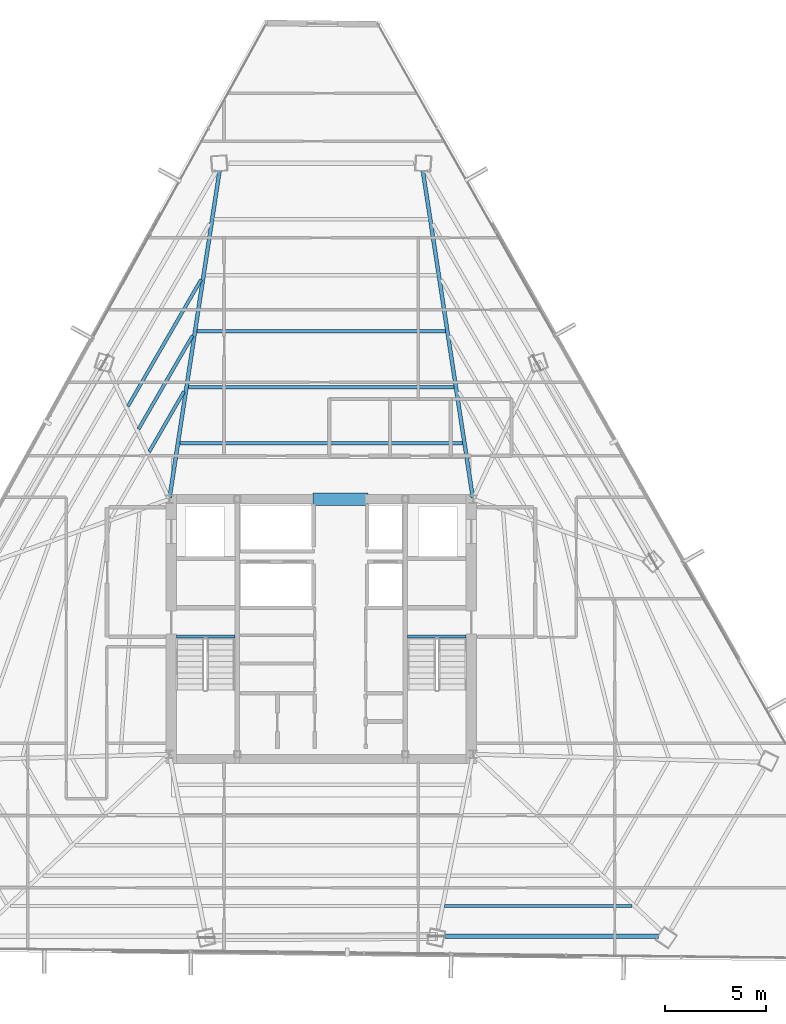
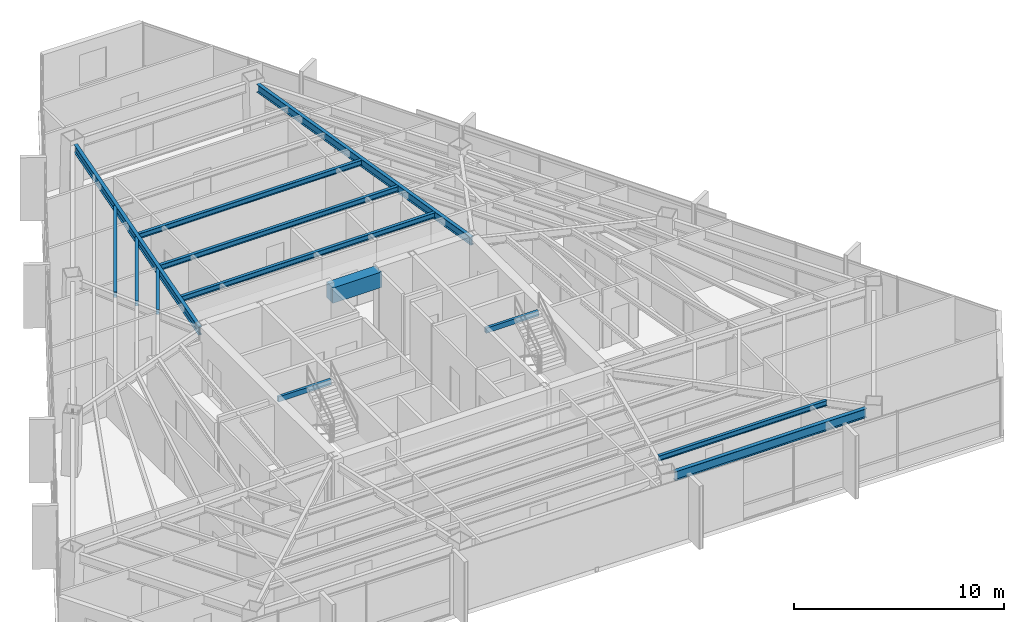
# One storey, part 17 of 42: 13 beams.
"""IFC4 building model written with IfcOpenShell, lengths in metres."""

from ifc_helpers import new_model, si_unit, direction, frame, origin, origin_2d, place, context, subcontext, project, spatial, rectangle, hollow_rectangle, i_section, extrude, source, transform, mapped, material, material_profile, profile_set, type_object, type_shapes, element, save


model = new_model("IFC4")

# Units and contexts
model_context = context("Model", 3, precision=1e-05, world=origin(), true_north=direction((0.0, 1.0)))
body_context = subcontext(model_context, "Body", "Model", "MODEL_VIEW")
ifc_project = project(units=[si_unit("LENGTHUNIT", "METRE"), si_unit("AREAUNIT", "SQUARE_METRE"), si_unit("VOLUMEUNIT", "CUBIC_METRE"), si_unit("PLANEANGLEUNIT", "RADIAN"), si_unit("MASSUNIT", "GRAM", prefix="KILO")], contexts=[model_context])

# Site, building, storey
site_placement = place(None, origin())
site = spatial("IfcSite", under=ifc_project, at=site_placement, CompositionType="ELEMENT")
building_placement = place(site_placement, origin())
building = spatial("IfcBuilding", under=site, at=building_placement, Name="Caelisora Broadcast Tower", CompositionType="ELEMENT")
storey_placement = place(building_placement, frame((0.0, 0.0, 205.949951171875)))
storey = spatial("IfcBuildingStorey", under=building, at=storey_placement, Name="L54", CompositionType="ELEMENT", Elevation=205.949951171875)

# Beams
ifc_material_1 = material(Name="Steel Grade 350 (AS/NZS 1163 C350L0)", Category="steel")
ifc_material_profile_1 = material_profile(ifc_material_1, hollow_rectangle(XDim=0.14990234375, YDim=0.300048828125, WallThickness=0.010009765625, at=origin_2d()), Name="Steel Grade 350 (AS/NZS 1163 C350L0)")
ifc_profile_set_1 = profile_set([ifc_material_profile_1], Name="Steel Grade 350 (AS/NZS 1163 C350L0)")
beam_type_1 = type_object("IfcBeamType", Name="SB05", PredefinedType="JOIST", material=ifc_profile_set_1)
shared_shape_1 = source(origin(), body_context, "Body", "SweptSolid", [
    extrude(hollow_rectangle(XDim=0.14990234375, YDim=0.300048828125, WallThickness=0.010009765625, at=origin_2d()), origin(), (0.0, 0.0, 1.0), 2.89990234375),
])
type_shapes(beam_type_1, [shared_shape_1])
for number, where, z_axis, x_axis, name in (
    (1, (30.840087890625, 23.219970703125, 3.25), (1.0, 0.0, 0.0), (0.0, 1.0, 0.0), "L54 beam SB05"),
    (2, (42.260009765625, 23.219970703125, 3.25), (1.0, 0.0, 0.0), (0.0, 1.0, 0.0), "L54 beam SB05"),
):
    element("IfcBeam", number, at=place(storey_placement, frame(where, z_axis=z_axis, x_axis=x_axis)), inside=storey, type_object=beam_type_1, Name=name, PredefinedType="JOIST", context=body_context, shape_type="MappedRepresentation", body=[
        mapped(shared_shape_1, transform((0.0, 0.0, 0.0), scale=1.0)),
    ])
ifc_material_2 = material(Name="Concrete 50 MPa (AS 3600 S50)", Category="concrete")
ifc_material_profile_2 = material_profile(ifc_material_2, rectangle(XDim=0.60009765625, YDim=0.89990234375, at=origin_2d()), Name="Concrete 50 MPa (AS 3600 S50)")
ifc_profile_set_2 = profile_set([ifc_material_profile_2], Name="Concrete 50 MPa (AS 3600 S50)")
beam_type_2 = type_object("IfcBeamType", Name="CB02", PredefinedType="LINTEL", material=ifc_profile_set_2)
shared_shape_2 = source(origin(), body_context, "Body", "SweptSolid", [
    extrude(rectangle(XDim=0.60009765625, YDim=0.89990234375, at=origin_2d()), origin(), (0.0, 0.0, 1.0), 2.699951171875),
])
type_shapes(beam_type_2, [shared_shape_2])
beam_1_placement = place(storey_placement, frame((37.60009765625, 30.0, 2.949951171875), z_axis=(1.0, 0.0, 0.0), x_axis=(0.0, 1.0, 0.0)))
element("IfcBeam", 3, at=beam_1_placement, inside=storey, type_object=beam_type_2, Name="L54 beam CB02", PredefinedType="LINTEL", context=body_context, shape_type="MappedRepresentation", body=[
    mapped(shared_shape_2, transform((0.0, 0.0, 0.0), scale=1.0)),
])
ifc_material_3 = material(Name="Steel Grade 350 (AS/NZS 3679.1)", Category="steel")
ifc_material_profile_3 = material_profile(ifc_material_3, i_section(OverallWidth=0.208984375, OverallDepth=0.532958984375, WebThickness=0.01025390625, FlangeThickness=0.015625, at=origin_2d()), Name="Steel Grade 350 (AS/NZS 3679.1)")
ifc_profile_set_3 = profile_set([ifc_material_profile_3], Name="Steel Grade 350 (AS/NZS 3679.1)")
beam_type_3 = type_object("IfcBeamType", Name="PG05", PredefinedType="BEAM", material=ifc_profile_set_3)
shared_shape_3 = source(origin(), body_context, "Body", "SweptSolid", [
    extrude(i_section(OverallWidth=0.208984375, OverallDepth=0.532958984375, WebThickness=0.01025390625, FlangeThickness=0.015625, at=origin_2d()), origin(), (0.0, 0.0, 1.0), 10.556884765625),
])
type_shapes(beam_type_3, [shared_shape_3])
beam_2_placement = place(storey_placement, frame((44.110595703125, 8.40478515625, 3.133544921875), z_axis=(1.0, 0.0, 0.0), x_axis=(0.0, 1.0, 0.0)))
element("IfcBeam", 4, at=beam_2_placement, inside=storey, type_object=beam_type_3, Name="L54 beam PG05", PredefinedType="BEAM", context=body_context, shape_type="MappedRepresentation", body=[
    mapped(shared_shape_3, transform((0.0, 0.0, 0.0), scale=1.0)),
])
ifc_material_profile_4 = material_profile(ifc_material_3, i_section(OverallWidth=0.19091796875, OverallDepth=0.46044921875, WebThickness=0.010009765625, FlangeThickness=0.01611328125, at=origin_2d()), Name="Steel Grade 350 (AS/NZS 3679.1)")
ifc_profile_set_4 = profile_set([ifc_material_profile_4], Name="Steel Grade 350 (AS/NZS 3679.1)")
beam_type_4 = type_object("IfcBeamType", Name="PG06", PredefinedType="BEAM", material=ifc_profile_set_4)
shared_shape_4 = source(origin(), body_context, "Body", "SweptSolid", [
    extrude(i_section(OverallWidth=0.19091796875, OverallDepth=0.46044921875, WebThickness=0.010009765625, FlangeThickness=0.01611328125, at=origin_2d()), origin(), (0.0, 0.0, 1.0), 16.34912109375),
])
type_shapes(beam_type_4, [shared_shape_4])
for number, where, z_axis, x_axis, name in (
    (5, (45.490966796875, 30.059326171875, 3.169921875), (-0.151092077543, 0.988519693331, 0.0), (-0.988519693331, -0.151092077543, 0.0), "L54 beam PG06"),
    (6, (30.509033203125, 30.059326171875, 3.169921875), (0.151092077543, 0.988519693331, 0.0), (-0.988519693331, 0.151092077543, 0.0), "L54 beam PG06"),
):
    element("IfcBeam", number, at=place(storey_placement, frame(where, z_axis=z_axis, x_axis=x_axis)), inside=storey, type_object=beam_type_4, Name=name, PredefinedType="BEAM", context=body_context, shape_type="MappedRepresentation", body=[
        mapped(shared_shape_4, transform((0.0, 0.0, 0.0), scale=1.0)),
    ])
ifc_material_profile_5 = material_profile(ifc_material_3, i_section(OverallWidth=0.166015625, OverallDepth=0.30712890625, WebThickness=0.006591796875, FlangeThickness=0.01171875, at=origin_2d()), Name="Steel Grade 350 (AS/NZS 3679.1)")
ifc_profile_set_5 = profile_set([ifc_material_profile_5], Name="Steel Grade 350 (AS/NZS 3679.1)")
beam_type_5 = type_object("IfcBeamType", Name="SB03", PredefinedType="JOIST", material=ifc_profile_set_5)
shared_shape_5 = source(origin(), body_context, "Body", "SweptSolid", [
    extrude(i_section(OverallWidth=0.166015625, OverallDepth=0.30712890625, WebThickness=0.006591796875, FlangeThickness=0.01171875, at=origin_2d()), origin(), (0.0, 0.0, 1.0), 13.96728515625),
])
beam_3_placement = place(storey_placement, frame((44.983642578125, 32.765380859375, 3.246337890625), z_axis=(-1.0, 0.0, 0.0), x_axis=(0.0, -1.0, 0.0)))
element("IfcBeam", 7, at=beam_3_placement, inside=storey, type_object=beam_type_5, Name="L54 beam SB03", PredefinedType="JOIST", context=body_context, shape_type="MappedRepresentation", body=[
    mapped(shared_shape_5, transform((0.0, 0.0, 0.0), scale=1.0)),
])
shared_shape_6 = source(origin(), body_context, "Body", "SweptSolid", [
    extrude(i_section(OverallWidth=0.166015625, OverallDepth=0.30712890625, WebThickness=0.006591796875, FlangeThickness=0.01171875, at=origin_2d()), origin(), (0.0, 0.0, 1.0), 13.1220703125),
])
beam_4_placement = place(storey_placement, frame((44.56103515625, 35.53076171875, 3.246337890625), z_axis=(-1.0, 0.0, 0.0), x_axis=(0.0, -1.0, 0.0)))
element("IfcBeam", 8, at=beam_4_placement, inside=storey, type_object=beam_type_5, Name="L54 beam SB03", PredefinedType="JOIST", context=body_context, shape_type="MappedRepresentation", body=[
    mapped(shared_shape_6, transform((0.0, 0.0, 0.0), scale=1.0)),
])
shared_shape_7 = source(origin(), body_context, "Body", "SweptSolid", [
    extrude(i_section(OverallWidth=0.166015625, OverallDepth=0.30712890625, WebThickness=0.006591796875, FlangeThickness=0.01171875, at=origin_2d()), origin(), (0.0, 0.0, 1.0), 12.276611328125),
])
beam_5_placement = place(storey_placement, frame((44.13818359375, 38.296142578125, 3.246337890625), z_axis=(-1.0, 0.0, 0.0), x_axis=(0.0, -1.0, 0.0)))
element("IfcBeam", 9, at=beam_5_placement, inside=storey, type_object=beam_type_5, Name="L54 beam SB03", PredefinedType="JOIST", context=body_context, shape_type="MappedRepresentation", body=[
    mapped(shared_shape_7, transform((0.0, 0.0, 0.0), scale=1.0)),
])
shared_shape_8 = source(origin(), body_context, "Body", "SweptSolid", [
    extrude(i_section(OverallWidth=0.166015625, OverallDepth=0.30712890625, WebThickness=0.006591796875, FlangeThickness=0.01171875, at=origin_2d()), origin(), (0.0, 0.0, 1.0), 3.4345703125),
])
beam_6_placement = place(storey_placement, frame((31.22119140625, 35.315673828125, 3.246337890625), z_axis=(-0.500007552899, -0.866021043072, 0.0), x_axis=(0.866021043072, -0.500007552899, 0.0)))
element("IfcBeam", 10, at=beam_6_placement, inside=storey, type_object=beam_type_5, Name="L54 beam SB03", PredefinedType="JOIST", context=body_context, shape_type="MappedRepresentation", body=[
    mapped(shared_shape_8, transform((0.0, 0.0, 0.0), scale=1.0)),
])
shared_shape_9 = source(origin(), body_context, "Body", "SweptSolid", [
    extrude(i_section(OverallWidth=0.166015625, OverallDepth=0.30712890625, WebThickness=0.006591796875, FlangeThickness=0.01171875, at=origin_2d()), origin(), (0.0, 0.0, 1.0), 5.33251953125),
])
beam_7_placement = place(storey_placement, frame((31.643798828125, 38.0810546875, 3.246337890625), z_axis=(-0.499994585298, -0.866028529942, 0.0), x_axis=(0.866028529942, -0.499994585298, 0.0)))
element("IfcBeam", 11, at=beam_7_placement, inside=storey, type_object=beam_type_5, Name="L54 beam SB03", PredefinedType="JOIST", context=body_context, shape_type="MappedRepresentation", body=[
    mapped(shared_shape_9, transform((0.0, 0.0, 0.0), scale=1.0)),
])
shared_shape_10 = source(origin(), body_context, "Body", "SweptSolid", [
    extrude(i_section(OverallWidth=0.166015625, OverallDepth=0.30712890625, WebThickness=0.006591796875, FlangeThickness=0.01171875, at=origin_2d()), origin(), (0.0, 0.0, 1.0), 7.231201171875),
])
beam_8_placement = place(storey_placement, frame((32.066650390625, 40.846435546875, 3.246337890625), z_axis=(-0.500024450573, -0.866011286779, 0.0), x_axis=(0.866011286779, -0.500024450573, 0.0)))
element("IfcBeam", 12, at=beam_8_placement, inside=storey, type_object=beam_type_5, Name="L54 beam SB03", PredefinedType="JOIST", context=body_context, shape_type="MappedRepresentation", body=[
    mapped(shared_shape_10, transform((0.0, 0.0, 0.0), scale=1.0)),
])
shared_shape_11 = source(origin(), body_context, "Body", "SweptSolid", [
    extrude(i_section(OverallWidth=0.166015625, OverallDepth=0.30712890625, WebThickness=0.006591796875, FlangeThickness=0.01171875, at=origin_2d()), origin(), (0.0, 0.0, 1.0), 9.260009765625),
])
type_shapes(beam_type_5, [shared_shape_5, shared_shape_6, shared_shape_7, shared_shape_8, shared_shape_9, shared_shape_10, shared_shape_11])
beam_9_placement = place(storey_placement, frame((44.08984375, 9.904052734375, 3.246337890625), z_axis=(1.0, 0.0, 0.0), x_axis=(0.0, 1.0, 0.0)))
element("IfcBeam", 13, at=beam_9_placement, inside=storey, type_object=beam_type_5, Name="L54 beam SB03", PredefinedType="JOIST", context=body_context, shape_type="MappedRepresentation", body=[
    mapped(shared_shape_11, transform((0.0, 0.0, 0.0), scale=1.0)),
])

save(model, "model.ifc")
